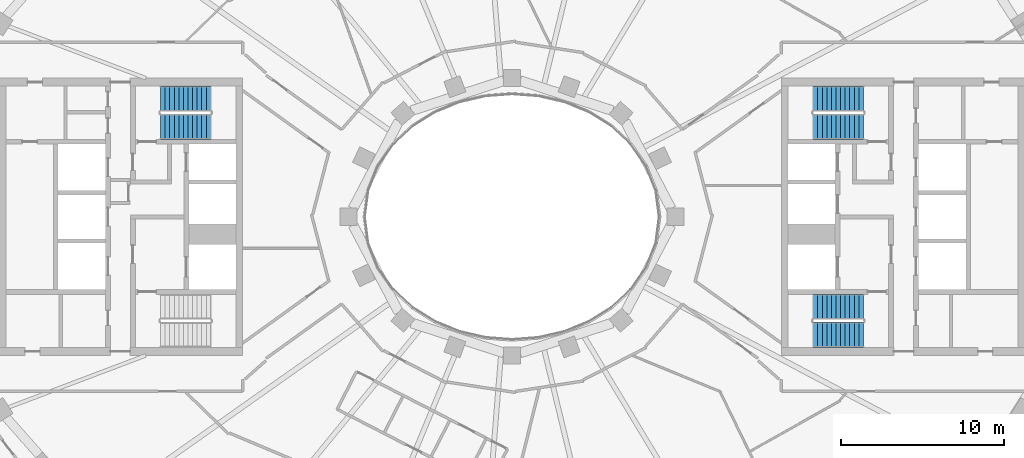
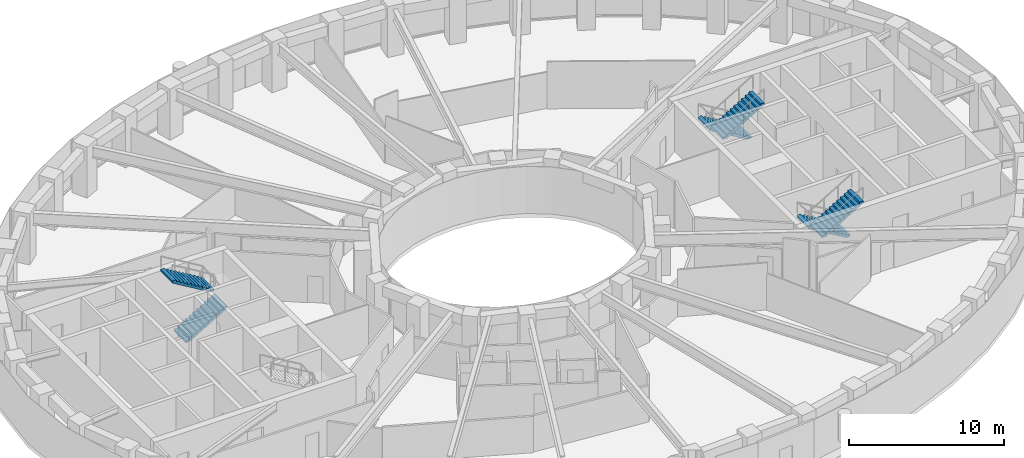
# One storey, part 7 of 16: 6 stair flights, 3 elements without a shape of their own.
"""IFC4 building model written with IfcOpenShell, lengths in metres."""

from ifc_helpers import new_model, si_unit, direction, frame, origin, place, context, subcontext, project, spatial, polyline, outline, extrude, material, type_object, element, aggregate, save


model = new_model("IFC4")

# Units and contexts
model_context = context("Model", 3, precision=1e-05, world=origin(), true_north=direction((0.0, 1.0)))
body_context = subcontext(model_context, "Body", "Model", "MODEL_VIEW")
ifc_project = project(units=[si_unit("LENGTHUNIT", "METRE"), si_unit("AREAUNIT", "SQUARE_METRE"), si_unit("VOLUMEUNIT", "CUBIC_METRE"), si_unit("PLANEANGLEUNIT", "RADIAN"), si_unit("MASSUNIT", "GRAM", prefix="KILO")], contexts=[model_context])

# Site, building, storey
site_placement = place(None, origin())
site = spatial("IfcSite", under=ifc_project, at=site_placement, CompositionType="ELEMENT")
building_placement = place(site_placement, origin())
building = spatial("IfcBuilding", under=site, at=building_placement, Name="Noorbagh Ring Tower", CompositionType="ELEMENT")
storey_placement = place(building_placement, frame((0.0, 0.0, 174.0)))
storey = spatial("IfcBuildingStorey", under=building, at=storey_placement, Name="L40", CompositionType="ELEMENT", Elevation=174.0)

# Stair, stair flights
ifc_material_1 = material(Name="Concrete C40/50", Category="concrete")
stair_type = type_object("IfcStairType", Name="CORE-STAIR", PredefinedType="HALF_TURN_STAIR", material=ifc_material_1)
stair_1_placement = place(storey_placement, origin())
stair_1 = element("IfcStair", 1, at=stair_1_placement, inside=storey, type_object=stair_type, Name="L40 Exit stair ST1", PredefinedType="HALF_TURN_STAIR")
ifc_material_2 = material(Name="Concrete C40/50", Category="concrete")
stair_flight_type = type_object("IfcStairFlightType", Name="CORE-STAIR-FLIGHT", PredefinedType="STRAIGHT", material=ifc_material_2)
stair_flight_1_placement = place(storey_placement, frame((-21.530029296875, 5.52490234375, 0.0), z_axis=(0.0, 0.0, 1.0), x_axis=(1.0, 0.0, 0.0)))
stair_flight_1 = element("IfcStairFlight", 2, at=stair_flight_1_placement, type_object=stair_flight_type, Name="ST1 flight 1", NumberOfRisers=12, NumberOfTreads=11, PredefinedType="STRAIGHT", RiserHeight=0.166666667, TreadLength=0.28, context=body_context, shape_type="SweptSolid", body=[
    extrude(outline(polyline([(0.0, 0.0), (0.0, 0.166748046875), (0.280029296875, 0.166748046875), (0.280029296875, 0.333251953125), (0.56005859375, 0.333251953125), (0.56005859375, 0.5), (0.840087890625, 0.5), (0.840087890625, 0.666748046875), (1.1201171875, 0.666748046875), (1.1201171875, 0.833251953125), (1.39990234375, 0.833251953125), (1.39990234375, 1.0), (1.679931640625, 1.0), (1.679931640625, 1.166748046875), (1.9599609375, 1.166748046875), (1.9599609375, 1.333251953125), (2.239990234375, 1.333251953125), (2.239990234375, 1.5), (2.52001953125, 1.5), (2.52001953125, 1.666748046875), (2.800048828125, 1.666748046875), (2.800048828125, 1.833251953125), (3.080078125, 1.833251953125), (3.080078125, 2.0), (3.080078125, 1.658935546875), (0.29296875, 0.0), (0.0, 0.0)])), frame((0.0, 0.77490234375, 0.0), z_axis=(0.0, -1.0, 0.0), x_axis=(1.0, 0.0, 0.0)), (0.0, 0.0, 1.0), 1.550048828125),
])
stair_flight_2_placement = place(storey_placement, frame((-18.449951171875, 7.22509765625, 2.0), z_axis=(0.0, 0.0, 1.0), x_axis=(-1.0, 0.0, 0.0)))
stair_flight_2 = element("IfcStairFlight", 3, at=stair_flight_2_placement, type_object=stair_flight_type, Name="ST1 flight 2", NumberOfRisers=12, NumberOfTreads=11, PredefinedType="STRAIGHT", RiserHeight=0.166666667, TreadLength=0.28, context=body_context, shape_type="SweptSolid", body=[
    extrude(outline(polyline([(0.0, 0.0), (0.0, 0.166748046875), (0.280029296875, 0.166748046875), (0.280029296875, 0.333251953125), (0.56005859375, 0.333251953125), (0.56005859375, 0.5), (0.840087890625, 0.5), (0.840087890625, 0.666748046875), (1.1201171875, 0.666748046875), (1.1201171875, 0.833251953125), (1.39990234375, 0.833251953125), (1.39990234375, 1.0), (1.679931640625, 1.0), (1.679931640625, 1.166748046875), (1.9599609375, 1.166748046875), (1.9599609375, 1.333251953125), (2.239990234375, 1.333251953125), (2.239990234375, 1.5), (2.52001953125, 1.5), (2.52001953125, 1.666748046875), (2.800048828125, 1.666748046875), (2.800048828125, 1.833251953125), (3.080078125, 1.833251953125), (3.080078125, 2.0), (3.080078125, 1.658935546875), (0.29296875, 0.0), (0.0, 0.0)])), frame((0.0, 0.77490234375, 0.0), z_axis=(0.0, -1.0, 0.0), x_axis=(1.0, 0.0, 0.0)), (0.0, 0.0, 1.0), 1.550048828125),
])
aggregate(stair_1, [stair_flight_1, stair_flight_2])

stair_2_placement = place(storey_placement, origin())
stair_2 = element("IfcStair", 4, at=stair_2_placement, inside=storey, type_object=stair_type, Name="L40 Exit stair ST3", PredefinedType="HALF_TURN_STAIR")
stair_flight_3_placement = place(storey_placement, frame((21.530029296875, 7.22509765625, 0.0), z_axis=(0.0, 0.0, 1.0), x_axis=(-1.0, 0.0, 0.0)))
stair_flight_3 = element("IfcStairFlight", 5, at=stair_flight_3_placement, type_object=stair_flight_type, Name="ST3 flight 1", NumberOfRisers=12, NumberOfTreads=11, PredefinedType="STRAIGHT", RiserHeight=0.166666667, TreadLength=0.28, context=body_context, shape_type="SweptSolid", body=[
    extrude(outline(polyline([(0.0, 0.0), (0.0, 0.166748046875), (0.280029296875, 0.166748046875), (0.280029296875, 0.333251953125), (0.56005859375, 0.333251953125), (0.56005859375, 0.5), (0.840087890625, 0.5), (0.840087890625, 0.666748046875), (1.1201171875, 0.666748046875), (1.1201171875, 0.833251953125), (1.39990234375, 0.833251953125), (1.39990234375, 1.0), (1.679931640625, 1.0), (1.679931640625, 1.166748046875), (1.9599609375, 1.166748046875), (1.9599609375, 1.333251953125), (2.239990234375, 1.333251953125), (2.239990234375, 1.5), (2.52001953125, 1.5), (2.52001953125, 1.666748046875), (2.800048828125, 1.666748046875), (2.800048828125, 1.833251953125), (3.080078125, 1.833251953125), (3.080078125, 2.0), (3.080078125, 1.658935546875), (0.29296875, 0.0), (0.0, 0.0)])), frame((0.0, 0.77490234375, 0.0), z_axis=(0.0, -1.0, 0.0), x_axis=(1.0, 0.0, 0.0)), (0.0, 0.0, 1.0), 1.550048828125),
])
stair_flight_4_placement = place(storey_placement, frame((18.449951171875, 5.52490234375, 2.0), z_axis=(0.0, 0.0, 1.0), x_axis=(1.0, 0.0, 0.0)))
stair_flight_4 = element("IfcStairFlight", 6, at=stair_flight_4_placement, type_object=stair_flight_type, Name="ST3 flight 2", NumberOfRisers=12, NumberOfTreads=11, PredefinedType="STRAIGHT", RiserHeight=0.166666667, TreadLength=0.28, context=body_context, shape_type="SweptSolid", body=[
    extrude(outline(polyline([(0.0, 0.0), (0.0, 0.166748046875), (0.280029296875, 0.166748046875), (0.280029296875, 0.333251953125), (0.56005859375, 0.333251953125), (0.56005859375, 0.5), (0.840087890625, 0.5), (0.840087890625, 0.666748046875), (1.1201171875, 0.666748046875), (1.1201171875, 0.833251953125), (1.39990234375, 0.833251953125), (1.39990234375, 1.0), (1.679931640625, 1.0), (1.679931640625, 1.166748046875), (1.9599609375, 1.166748046875), (1.9599609375, 1.333251953125), (2.239990234375, 1.333251953125), (2.239990234375, 1.5), (2.52001953125, 1.5), (2.52001953125, 1.666748046875), (2.800048828125, 1.666748046875), (2.800048828125, 1.833251953125), (3.080078125, 1.833251953125), (3.080078125, 2.0), (3.080078125, 1.658935546875), (0.29296875, 0.0), (0.0, 0.0)])), frame((0.0, 0.77490234375, 0.0), z_axis=(0.0, -1.0, 0.0), x_axis=(1.0, 0.0, 0.0)), (0.0, 0.0, 1.0), 1.550048828125),
])
aggregate(stair_2, [stair_flight_3, stair_flight_4])

stair_3_placement = place(storey_placement, origin())
stair_3 = element("IfcStair", 7, at=stair_3_placement, inside=storey, type_object=stair_type, Name="L40 Exit stair ST4", PredefinedType="HALF_TURN_STAIR")
stair_flight_5_placement = place(storey_placement, frame((21.530029296875, -5.52490234375, 0.0), z_axis=(0.0, 0.0, 1.0), x_axis=(-1.0, 0.0, 0.0)))
stair_flight_5 = element("IfcStairFlight", 8, at=stair_flight_5_placement, type_object=stair_flight_type, Name="ST4 flight 1", NumberOfRisers=12, NumberOfTreads=11, PredefinedType="STRAIGHT", RiserHeight=0.166666667, TreadLength=0.28, context=body_context, shape_type="SweptSolid", body=[
    extrude(outline(polyline([(0.0, 0.0), (0.0, 0.166748046875), (0.280029296875, 0.166748046875), (0.280029296875, 0.333251953125), (0.56005859375, 0.333251953125), (0.56005859375, 0.5), (0.840087890625, 0.5), (0.840087890625, 0.666748046875), (1.1201171875, 0.666748046875), (1.1201171875, 0.833251953125), (1.39990234375, 0.833251953125), (1.39990234375, 1.0), (1.679931640625, 1.0), (1.679931640625, 1.166748046875), (1.9599609375, 1.166748046875), (1.9599609375, 1.333251953125), (2.239990234375, 1.333251953125), (2.239990234375, 1.5), (2.52001953125, 1.5), (2.52001953125, 1.666748046875), (2.800048828125, 1.666748046875), (2.800048828125, 1.833251953125), (3.080078125, 1.833251953125), (3.080078125, 2.0), (3.080078125, 1.658935546875), (0.29296875, 0.0), (0.0, 0.0)])), frame((0.0, 0.77490234375, 0.0), z_axis=(0.0, -1.0, 0.0), x_axis=(1.0, 0.0, 0.0)), (0.0, 0.0, 1.0), 1.550048828125),
])
stair_flight_6_placement = place(storey_placement, frame((18.449951171875, -7.22509765625, 2.0), z_axis=(0.0, 0.0, 1.0), x_axis=(1.0, 0.0, 0.0)))
stair_flight_6 = element("IfcStairFlight", 9, at=stair_flight_6_placement, type_object=stair_flight_type, Name="ST4 flight 2", NumberOfRisers=12, NumberOfTreads=11, PredefinedType="STRAIGHT", RiserHeight=0.166666667, TreadLength=0.28, context=body_context, shape_type="SweptSolid", body=[
    extrude(outline(polyline([(0.0, 0.0), (0.0, 0.166748046875), (0.280029296875, 0.166748046875), (0.280029296875, 0.333251953125), (0.56005859375, 0.333251953125), (0.56005859375, 0.5), (0.840087890625, 0.5), (0.840087890625, 0.666748046875), (1.1201171875, 0.666748046875), (1.1201171875, 0.833251953125), (1.39990234375, 0.833251953125), (1.39990234375, 1.0), (1.679931640625, 1.0), (1.679931640625, 1.166748046875), (1.9599609375, 1.166748046875), (1.9599609375, 1.333251953125), (2.239990234375, 1.333251953125), (2.239990234375, 1.5), (2.52001953125, 1.5), (2.52001953125, 1.666748046875), (2.800048828125, 1.666748046875), (2.800048828125, 1.833251953125), (3.080078125, 1.833251953125), (3.080078125, 2.0), (3.080078125, 1.658935546875), (0.29296875, 0.0), (0.0, 0.0)])), frame((0.0, 0.77490234375, 0.0), z_axis=(0.0, -1.0, 0.0), x_axis=(1.0, 0.0, 0.0)), (0.0, 0.0, 1.0), 1.550048828125),
])
aggregate(stair_3, [stair_flight_5, stair_flight_6])

save(model, "model.ifc")
